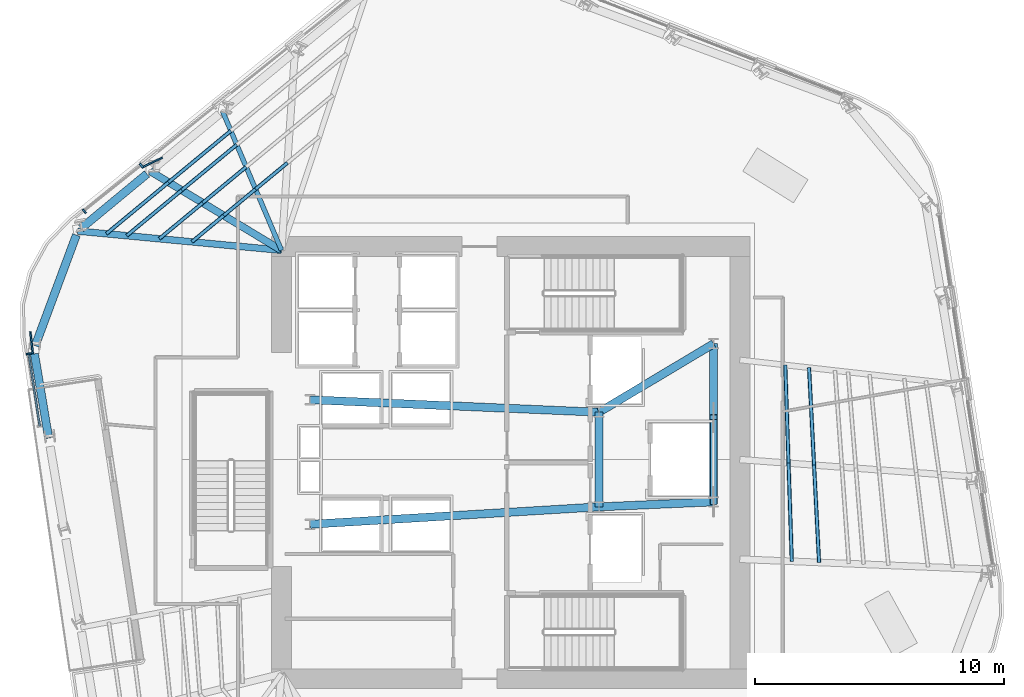
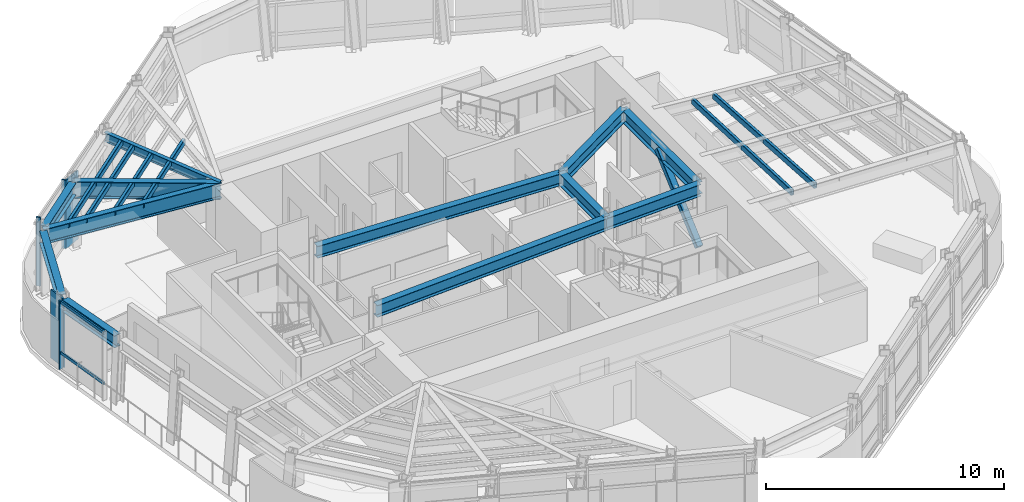
# One storey, part 4 of 15: 21 members, 12 beams, 2 elements without a shape of their own.
"""IFC4 building model written with IfcOpenShell, lengths in metres."""

from ifc_helpers import new_model, si_unit, direction, frame, origin, origin_2d, place, context, subcontext, project, spatial, rectangle, hollow_rectangle, i_section, extrude, material, layer, layer_set, material_profile, profile_set, type_object, element, aggregate, save


model = new_model("IFC4")

# Units and contexts
model_context = context("Model", 3, precision=1e-05, world=origin(), true_north=direction((0.0, 1.0)))
body_context = subcontext(model_context, "Body", "Model", "MODEL_VIEW")
ifc_project = project(units=[si_unit("LENGTHUNIT", "METRE"), si_unit("AREAUNIT", "SQUARE_METRE"), si_unit("VOLUMEUNIT", "CUBIC_METRE"), si_unit("PLANEANGLEUNIT", "RADIAN"), si_unit("MASSUNIT", "GRAM", prefix="KILO")], contexts=[model_context])

# Site, building, storey
site_placement = place(None, origin())
site = spatial("IfcSite", under=ifc_project, at=site_placement, CompositionType="ELEMENT")
building_placement = place(site_placement, origin())
building = spatial("IfcBuilding", under=site, at=building_placement, Name="Valkerne Bourse Tower", CompositionType="ELEMENT")
storey_placement = place(building_placement, frame((0.0, 0.0, 189.39990234375)))
storey = spatial("IfcBuildingStorey", under=building, at=storey_placement, Name="L48", CompositionType="ELEMENT", Elevation=189.39990234375)

# Beams
ifc_material_1 = material(Name="Steel ASTM A992", Category="steel")
ifc_material_profile_1 = material_profile(ifc_material_1, i_section(OverallWidth=0.1904296875, OverallDepth=0.457275390625, WebThickness=0.009033203125, FlangeThickness=0.014404296875, FilletRadius=0.01513671875, at=origin_2d()), Name="W18X50")
ifc_profile_set_1 = profile_set([ifc_material_profile_1], Name="Steel ASTM A992")
beam_type_1 = type_object("IfcBeamType", Name="BM-W18X50", PredefinedType="JOIST", material=ifc_profile_set_1)
beam_1_placement = place(storey_placement, frame((35.235107421875, 40.9794921875, 3.29150390625), z_axis=(0.390254967535, -0.920706826473, 0.0), x_axis=(0.920706826473, 0.390254967535, 0.0)))
element("IfcBeam", 1, at=beam_1_placement, inside=storey, type_object=beam_type_1, Name="L48 Radial Composite Floor Beam 07", PredefinedType="JOIST", context=body_context, shape_type="SweptSolid", body=[
    extrude(i_section(OverallWidth=0.1904296875, OverallDepth=0.457275390625, WebThickness=0.009033203125, FlangeThickness=0.014404296875, FilletRadius=0.01513671875, at=origin_2d()), origin(), (0.0, 0.0, 1.0), 6.06005859375),
])
ifc_material_profile_2 = material_profile(ifc_material_1, i_section(OverallWidth=0.3251953125, OverallDepth=0.612060546875, WebThickness=0.0126953125, FlangeThickness=0.01904296875, FilletRadius=0.020263671875, at=origin_2d()), Name="W24X104")
ifc_profile_set_2 = profile_set([ifc_material_profile_2], Name="Steel ASTM A992")
beam_type_2 = type_object("IfcBeamType", Name="BM-W24X104", PredefinedType="BEAM", material=ifc_profile_set_2)
beam_2_placement = place(storey_placement, frame((50.35009765625, 25.10009765625, 3.214111328125), z_axis=(0.0, 1.0, 0.0), x_axis=(-1.0, 0.0, 0.0)))
element("IfcBeam", 2, at=beam_2_placement, inside=storey, type_object=beam_type_2, Name="L48 Core Frame Girder CG-CE", PredefinedType="BEAM", context=body_context, shape_type="SweptSolid", body=[
    extrude(i_section(OverallWidth=0.3251953125, OverallDepth=0.612060546875, WebThickness=0.0126953125, FlangeThickness=0.01904296875, FilletRadius=0.020263671875, at=origin_2d()), origin(), (0.0, 0.0, 1.0), 3.7998046875),
])
beam_3_placement = place(storey_placement, frame((50.35009765625, 25.10009765625, 3.214111328125), z_axis=(0.999056558506, 0.043428019819, 0.0), x_axis=(-0.043428019819, 0.999056558506, 0.0)))
element("IfcBeam", 3, at=beam_3_placement, inside=storey, type_object=beam_type_2, Name="L48 Core Frame Girder CG-SE", PredefinedType="BEAM", context=body_context, shape_type="SweptSolid", body=[
    extrude(i_section(OverallWidth=0.3251953125, OverallDepth=0.612060546875, WebThickness=0.0126953125, FlangeThickness=0.01904296875, FilletRadius=0.020263671875, at=origin_2d()), origin(), (0.0, 0.0, 1.0), 4.604248046875),
])
beam_4_placement = place(storey_placement, frame((50.35009765625, 28.89990234375, 3.214111328125), z_axis=(0.858307823492, 0.513135148019, 0.0), x_axis=(-0.513135148019, 0.858307823492, 0.0)))
element("IfcBeam", 4, at=beam_4_placement, inside=storey, type_object=beam_type_2, Name="L48 Core Frame Girder CG-NE", PredefinedType="BEAM", context=body_context, shape_type="SweptSolid", body=[
    extrude(i_section(OverallWidth=0.3251953125, OverallDepth=0.612060546875, WebThickness=0.0126953125, FlangeThickness=0.01904296875, FilletRadius=0.020263671875, at=origin_2d()), origin(), (0.0, 0.0, 1.0), 5.359130859375),
])
beam_5_placement = place(storey_placement, frame((54.949951171875, 25.300048828125, 3.214111328125), z_axis=(0.0, 1.0, 0.0), x_axis=(-1.0, 0.0, 0.0)))
element("IfcBeam", 5, at=beam_5_placement, inside=storey, type_object=beam_type_2, Name="L48 Core Frame Girder CG-EE", PredefinedType="BEAM", context=body_context, shape_type="SweptSolid", body=[
    extrude(i_section(OverallWidth=0.3251953125, OverallDepth=0.612060546875, WebThickness=0.0126953125, FlangeThickness=0.01904296875, FilletRadius=0.020263671875, at=origin_2d()), origin(), (0.0, 0.0, 1.0), 6.349853515625),
])
beam_6_placement = place(storey_placement, frame((38.75, 24.39990234375, 3.214111328125), z_axis=(0.998183228389, 0.060251494276, 0.0), x_axis=(-0.060251494276, 0.998183228389, 0.0)))
element("IfcBeam", 6, at=beam_6_placement, inside=storey, type_object=beam_type_2, Name="L48 Core Frame Girder CG-SW", PredefinedType="BEAM", context=body_context, shape_type="SweptSolid", body=[
    extrude(i_section(OverallWidth=0.3251953125, OverallDepth=0.612060546875, WebThickness=0.0126953125, FlangeThickness=0.01904296875, FilletRadius=0.020263671875, at=origin_2d()), origin(), (0.0, 0.0, 1.0), 11.62109375),
])
beam_7_placement = place(storey_placement, frame((38.75, 29.39990234375, 3.214111328125), z_axis=(0.999072354402, -0.043063101019, 0.0), x_axis=(0.043063101019, 0.999072354402, 0.0)))
element("IfcBeam", 7, at=beam_7_placement, inside=storey, type_object=beam_type_2, Name="L48 Core Frame Girder CG-NW", PredefinedType="BEAM", context=body_context, shape_type="SweptSolid", body=[
    extrude(i_section(OverallWidth=0.3251953125, OverallDepth=0.612060546875, WebThickness=0.0126953125, FlangeThickness=0.01904296875, FilletRadius=0.020263671875, at=origin_2d()), origin(), (0.0, 0.0, 1.0), 11.61083984375),
])
ifc_material_profile_3 = material_profile(ifc_material_1, i_section(OverallWidth=0.32763671875, OverallDepth=0.62744140625, WebThickness=0.0166015625, FlangeThickness=0.027587890625, FilletRadius=0.020263671875, at=origin_2d()), Name="W24X146")
ifc_profile_set_3 = profile_set([ifc_material_profile_3], Name="Steel ASTM A992")
beam_type_3 = type_object("IfcBeamType", Name="BM-W24X146", PredefinedType="SPANDREL", material=ifc_profile_set_3)
beam_8_placement = place(storey_placement, frame((32.198486328125, 38.467529296875, 3.206298828125), z_axis=(-0.770502780031, -0.637436636823, 0.0), x_axis=(0.637436636823, -0.770502780031, 0.0)))
element("IfcBeam", 8, at=beam_8_placement, inside=storey, type_object=beam_type_3, Name="L48 Hexagonal Spandrel Ring Beam 08", PredefinedType="SPANDREL", context=body_context, shape_type="SweptSolid", body=[
    extrude(i_section(OverallWidth=0.32763671875, OverallDepth=0.62744140625, WebThickness=0.0166015625, FlangeThickness=0.027587890625, FilletRadius=0.020263671875, at=origin_2d()), origin(), (0.0, 0.0, 1.0), 3.430908203125),
])
beam_9_placement = place(storey_placement, frame((29.364501953125, 36.0126953125, 3.206298828125), z_axis=(-0.348553782841, -0.937288781789, 0.0), x_axis=(0.937288781789, -0.348553782841, 0.0)))
element("IfcBeam", 9, at=beam_9_placement, inside=storey, type_object=beam_type_3, Name="L48 Hexagonal Spandrel Ring Beam 09", PredefinedType="SPANDREL", context=body_context, shape_type="SweptSolid", body=[
    extrude(i_section(OverallWidth=0.32763671875, OverallDepth=0.62744140625, WebThickness=0.0166015625, FlangeThickness=0.027587890625, FilletRadius=0.020263671875, at=origin_2d()), origin(), (0.0, 0.0, 1.0), 4.739990234375),
])
beam_10_placement = place(storey_placement, frame((27.681396484375, 31.2431640625, 3.206298828125), z_axis=(0.16678700104, -0.985992949409, 0.0), x_axis=(0.985992949409, 0.16678700104, 0.0)))
element("IfcBeam", 10, at=beam_10_placement, inside=storey, type_object=beam_type_3, Name="L48 Hexagonal Spandrel Ring Beam 10", PredefinedType="SPANDREL", context=body_context, shape_type="SweptSolid", body=[
    extrude(i_section(OverallWidth=0.32763671875, OverallDepth=0.62744140625, WebThickness=0.0166015625, FlangeThickness=0.027587890625, FilletRadius=0.020263671875, at=origin_2d()), origin(), (0.0, 0.0, 1.0), 3.43115234375),
])
ifc_material_profile_4 = material_profile(ifc_material_1, i_section(OverallWidth=0.26806640625, OverallDepth=0.76953125, WebThickness=0.015625, FlangeThickness=0.025390625, FilletRadius=0.025390625, at=origin_2d()), Name="W30X132")
ifc_profile_set_4 = profile_set([ifc_material_profile_4], Name="Steel ASTM A992")
beam_type_4 = type_object("IfcBeamType", Name="BM-W30X132", PredefinedType="BEAM", material=ifc_profile_set_4)
beam_11_placement = place(storey_placement, frame((29.423828125, 36.172119140625, 3.13525390625), z_axis=(0.99556958455, -0.094027667839, 0.0), x_axis=(0.094027667839, 0.99556958455, 0.0)))
element("IfcBeam", 11, at=beam_11_placement, inside=storey, type_object=beam_type_4, Name="L48 Radial Composite Floor Beam 09", PredefinedType="BEAM", context=body_context, shape_type="SweptSolid", body=[
    extrude(i_section(OverallWidth=0.26806640625, OverallDepth=0.76953125, WebThickness=0.015625, FlangeThickness=0.025390625, FilletRadius=0.025390625, at=origin_2d()), origin(), (0.0, 0.0, 1.0), 8.212646484375),
])
ifc_material_profile_5 = material_profile(ifc_material_1, i_section(OverallWidth=0.2919921875, OverallDepth=0.8583984375, WebThickness=0.01708984375, FlangeThickness=0.031005859375, FilletRadius=0.025390625, at=origin_2d()), Name="W33X169")
ifc_profile_set_5 = profile_set([ifc_material_profile_5], Name="Steel ASTM A992")
beam_type_5 = type_object("IfcBeamType", Name="BM-W33X169", PredefinedType="BEAM", material=ifc_profile_set_5)
beam_12_placement = place(storey_placement, frame((32.32958984375, 38.575927734375, 3.0908203125), z_axis=(0.856507647418, -0.516134333206, 0.0), x_axis=(0.516134333206, 0.856507647418, 0.0)))
element("IfcBeam", 12, at=beam_12_placement, inside=storey, type_object=beam_type_5, Name="L48 Radial Composite Floor Beam 08", PredefinedType="BEAM", context=body_context, shape_type="SweptSolid", body=[
    extrude(i_section(OverallWidth=0.2919921875, OverallDepth=0.8583984375, WebThickness=0.01708984375, FlangeThickness=0.031005859375, FilletRadius=0.025390625, at=origin_2d()), origin(), (0.0, 0.0, 1.0), 6.153564453125),
])

# Curtain wall, members
ifc_material_2 = material(Name="Aluminium AA 6063-T6", Category="aluminium")
ifc_layer = layer(ifc_material_2, 0.235107421875)
ifc_layer_set = layer_set([ifc_layer], Name="Aluminium AA 6063-T6")
curtain_wall_type = type_object("IfcCurtainWallType", Name="CW-03", PredefinedType="NOTDEFINED", material=ifc_layer_set)
curtain_wall_1_placement = place(storey_placement, origin())
curtain_wall_1 = element("IfcCurtainWall", 13, at=curtain_wall_1_placement, inside=storey, type_object=curtain_wall_type, Name="L48 Hexagonal Stick Curtain Wall Face 2", PredefinedType="NOTDEFINED")
ifc_material_profile_6 = material_profile(ifc_material_2, rectangle(XDim=0.074951171875, YDim=0.199951171875, at=origin_2d()), Name="CWM-75X200")
ifc_profile_set_6 = profile_set([ifc_material_profile_6], Name="Aluminium AA 6063-T6")
member_type_1 = type_object("IfcMemberType", Name="CW-MUL-220X75", PredefinedType="MULLION", material=ifc_profile_set_6)
member_1_placement = place(storey_placement, frame((31.97265625, 38.804443359375, 0.0), z_axis=(0.0, 0.0, 1.0), x_axis=(-0.780428802886, -0.625244659014, 0.0)))
member_1 = element("IfcMember", 14, at=member_1_placement, type_object=member_type_1, Name="CW-L48-F2 Jamb Mullion 03A", PredefinedType="MULLION", context=body_context, shape_type="SweptSolid", body=[
    extrude(rectangle(XDim=0.074951171875, YDim=0.199951171875, at=origin_2d()), origin(), (0.0, 0.0, 1.0), 3.52001953125),
])
member_2_placement = place(storey_placement, frame((29.685302734375, 36.9716796875, 0.0), z_axis=(0.0, 0.0, 1.0), x_axis=(-0.780428802886, -0.625244659014, 0.0)))
member_2 = element("IfcMember", 15, at=member_2_placement, type_object=member_type_1, Name="CW-L48-F2 Jamb Mullion 03B", PredefinedType="MULLION", context=body_context, shape_type="SweptSolid", body=[
    extrude(rectangle(XDim=0.074951171875, YDim=0.199951171875, at=origin_2d()), origin(), (0.0, 0.0, 1.0), 3.52001953125),
])
aggregate(curtain_wall_1, [member_1, member_2])

curtain_wall_2_placement = place(storey_placement, origin())
curtain_wall_2 = element("IfcCurtainWall", 16, at=curtain_wall_2_placement, inside=storey, type_object=curtain_wall_type, Name="L48 Hexagonal Stick Curtain Wall Face 3", PredefinedType="NOTDEFINED")
member_3_placement = place(storey_placement, frame((27.4521484375, 31.244384765625, 0.0), z_axis=(0.0, 0.0, 1.0), x_axis=(0.151260054686, -0.988494003956, 0.0)))
member_3 = element("IfcMember", 17, at=member_3_placement, type_object=member_type_1, Name="CW-L48-F3 Jamb Mullion 00A", PredefinedType="MULLION", context=body_context, shape_type="SweptSolid", body=[
    extrude(rectangle(XDim=0.074951171875, YDim=0.199951171875, at=origin_2d()), origin(), (0.0, 0.0, 1.0), 3.52001953125),
])
ifc_material_profile_7 = material_profile(ifc_material_2, rectangle(XDim=0.074951171875, YDim=0.14990234375, at=origin_2d()), Name="CWT-75X150")
ifc_profile_set_7 = profile_set([ifc_material_profile_7], Name="Aluminium AA 6063-T6")
member_type_2 = type_object("IfcMemberType", Name="CW-TRN-180X65", PredefinedType="USERDEFINED", material=ifc_profile_set_7)
member_4_placement = place(storey_placement, frame((27.4521484375, 31.244384765625, 0.85009765625), z_axis=(0.151256002462, -0.988494624021, 0.0), x_axis=(0.988494624021, 0.151256002462, 0.0)))
member_4 = element("IfcMember", 18, at=member_4_placement, type_object=member_type_2, Name="CW-L48-F3 Bay Transom 00-1", ObjectType="TRANSOM", PredefinedType="USERDEFINED", context=body_context, shape_type="SweptSolid", body=[
    extrude(rectangle(XDim=0.074951171875, YDim=0.14990234375, at=origin_2d()), origin(), (0.0, 0.0, 1.0), 2.93115234375),
])
member_5_placement = place(storey_placement, frame((27.4521484375, 31.244384765625, 3.440185546875), z_axis=(0.151256002462, -0.988494624021, 0.0), x_axis=(0.988494624021, 0.151256002462, 0.0)))
member_5 = element("IfcMember", 19, at=member_5_placement, type_object=member_type_2, Name="CW-L48-F3 Bay Transom 00-2", ObjectType="TRANSOM", PredefinedType="USERDEFINED", context=body_context, shape_type="SweptSolid", body=[
    extrude(rectangle(XDim=0.074951171875, YDim=0.14990234375, at=origin_2d()), origin(), (0.0, 0.0, 1.0), 2.93115234375),
])
aggregate(curtain_wall_2, [member_3, member_4, member_5])

# Members
ifc_material_3 = material(Name="Bronze Anodised Aluminium AA 6063-T6", Category="aluminium")
ifc_material_profile_8 = material_profile(ifc_material_3, rectangle(XDim=0.070068359375, YDim=0.89990234375, at=origin_2d()), Name="FIN-70X900")
ifc_profile_set_8 = profile_set([ifc_material_profile_8], Name="Bronze Anodised Aluminium AA 6063-T6")
member_type_3 = type_object("IfcMemberType", Name="FIN-SOLAR-900", PredefinedType="USERDEFINED", material=ifc_profile_set_8)
for number, where, z_axis, x_axis, name in (
    (20, (32.4130859375, 38.926513671875, 0.004150390625), (0.0, 0.0, 1.0), (-0.432147815032, 0.901802786624, 0.0), "L48 Bronze Anodised Solar Fin F2-03"),
    (21, (27.56640625, 31.686767578125, 0.004150390625), (0.0, 0.0, 1.0), (-0.993694766839, -0.112119179253, 0.0), "L48 Bronze Anodised Solar Fin F3-00"),
):
    element("IfcMember", number, at=place(storey_placement, frame(where, z_axis=z_axis, x_axis=x_axis)), inside=storey, type_object=member_type_3, Name=name, ObjectType="SOLAR_FIN", PredefinedType="USERDEFINED", context=body_context, shape_type="SweptSolid", body=[
        extrude(rectangle(XDim=0.070068359375, YDim=0.89990234375, at=origin_2d()), origin(), (0.0, 0.0, 1.0), 3.511962890625),
    ])
ifc_material_4 = material(Name="Steel ASTM A500 Grade C", Category="steel")
ifc_material_profile_9 = material_profile(ifc_material_4, hollow_rectangle(XDim=0.14990234375, YDim=0.300048828125, WallThickness=0.012451171875, OuterFilletRadius=0.02490234375, at=origin_2d()), Name="HSS300X150X12.5")
ifc_profile_set_9 = profile_set([ifc_material_profile_9], Name="Steel ASTM A500 Grade C")
member_type_4 = type_object("IfcMemberType", Name="MBR-HSS300X150X12.5", PredefinedType="PURLIN", material=ifc_profile_set_9)
member_6_placement = place(storey_placement, frame((59.18310546875, 22.86865234375, 3.360107421875), z_axis=(-0.051449193264, 0.998675613256, 0.0), x_axis=(-0.998675613256, -0.051449193264, 0.0)))
element("IfcMember", 22, at=member_6_placement, inside=storey, type_object=member_type_4, Name="L48 Secondary Composite Floor Purlin I-25", PredefinedType="PURLIN", context=body_context, shape_type="SweptSolid", body=[
    extrude(hollow_rectangle(XDim=0.14990234375, YDim=0.300048828125, WallThickness=0.012451171875, OuterFilletRadius=0.02490234375, at=origin_2d()), origin(), (0.0, 0.0, 1.0), 3.914794921875),
])
member_7_placement = place(storey_placement, frame((58.981689453125, 26.7783203125, 3.360107421875), z_axis=(-0.051383795175, 0.99867898025, 0.0), x_axis=(-0.99867898025, -0.051383795175, 0.0)))
element("IfcMember", 23, at=member_7_placement, inside=storey, type_object=member_type_4, Name="L48 Secondary Composite Floor Purlin I-26", PredefinedType="PURLIN", context=body_context, shape_type="SweptSolid", body=[
    extrude(hollow_rectangle(XDim=0.14990234375, YDim=0.300048828125, WallThickness=0.012451171875, OuterFilletRadius=0.02490234375, at=origin_2d()), origin(), (0.0, 0.0, 1.0), 3.9150390625),
])
for number, where, z_axis, x_axis, name in (
    (24, (37.837890625, 38.91259765625, 3.360107421875), (-0.770543822735, -0.637387023122, 0.0), (0.637387023122, -0.770543822735, 0.0), "L48 Secondary Composite Floor Purlin K-06"),
    (25, (36.559326171875, 37.85498046875, 3.360107421875), (-0.770484037346, -0.637459291402, 0.0), (0.637459291402, -0.770484037346, 0.0), "L48 Secondary Composite Floor Purlin K-07"),
    (26, (35.281005859375, 36.79736328125, 3.360107421875), (-0.770543822735, -0.637387023122, 0.0), (0.637387023122, -0.770543822735, 0.0), "L48 Secondary Composite Floor Purlin K-08"),
):
    element("IfcMember", number, at=place(storey_placement, frame(where, z_axis=z_axis, x_axis=x_axis)), inside=storey, type_object=member_type_4, Name=name, PredefinedType="PURLIN", context=body_context, shape_type="SweptSolid", body=[
        extrude(hollow_rectangle(XDim=0.14990234375, YDim=0.300048828125, WallThickness=0.012451171875, OuterFilletRadius=0.02490234375, at=origin_2d()), origin(), (0.0, 0.0, 1.0), 1.6591796875),
    ])
member_8_placement = place(storey_placement, frame((35.802734375, 39.640380859375, 3.360107421875), z_axis=(-0.770541473894, -0.63738986265, 0.0), x_axis=(0.63738986265, -0.770541473894, 0.0)))
element("IfcMember", 27, at=member_8_placement, inside=storey, type_object=member_type_4, Name="L48 Secondary Composite Floor Purlin O-07", PredefinedType="PURLIN", context=body_context, shape_type="SweptSolid", body=[
    extrude(hollow_rectangle(XDim=0.14990234375, YDim=0.300048828125, WallThickness=0.012451171875, OuterFilletRadius=0.02490234375, at=origin_2d()), origin(), (0.0, 0.0, 1.0), 2.86572265625),
])
member_9_placement = place(storey_placement, frame((33.594482421875, 37.813720703125, 3.360107421875), z_axis=(-0.7704996348, -0.637440438608, 0.0), x_axis=(0.637440438608, -0.7704996348, 0.0)))
element("IfcMember", 28, at=member_9_placement, inside=storey, type_object=member_type_4, Name="L48 Secondary Composite Floor Purlin O-08", PredefinedType="PURLIN", context=body_context, shape_type="SweptSolid", body=[
    extrude(hollow_rectangle(XDim=0.14990234375, YDim=0.300048828125, WallThickness=0.012451171875, OuterFilletRadius=0.02490234375, at=origin_2d()), origin(), (0.0, 0.0, 1.0), 2.865966796875),
])
member_10_placement = place(storey_placement, frame((36.18115234375, 38.747802734375, 3.360107421875), z_axis=(-0.770489340731, -0.637452881255, 0.0), x_axis=(0.637452881255, -0.770489340731, 0.0)))
element("IfcMember", 29, at=member_10_placement, inside=storey, type_object=member_type_4, Name="L48 Secondary Composite Floor Purlin Z-07", PredefinedType="PURLIN", context=body_context, shape_type="SweptSolid", body=[
    extrude(hollow_rectangle(XDim=0.14990234375, YDim=0.300048828125, WallThickness=0.012451171875, OuterFilletRadius=0.02490234375, at=origin_2d()), origin(), (0.0, 0.0, 1.0), 2.2626953125),
])
member_11_placement = place(storey_placement, frame((34.437744140625, 37.305419921875, 3.360107421875), z_axis=(-0.770542335179, -0.63738882144, 0.0), x_axis=(0.63738882144, -0.770542335179, 0.0)))
element("IfcMember", 30, at=member_11_placement, inside=storey, type_object=member_type_4, Name="L48 Secondary Composite Floor Purlin Z-08", PredefinedType="PURLIN", context=body_context, shape_type="SweptSolid", body=[
    extrude(hollow_rectangle(XDim=0.14990234375, YDim=0.300048828125, WallThickness=0.012451171875, OuterFilletRadius=0.02490234375, at=origin_2d()), origin(), (0.0, 0.0, 1.0), 2.262451171875),
])
member_12_placement = place(storey_placement, frame((58.0888671875, 22.913818359375, 3.360107421875), z_axis=(-0.033498319598, 0.999438773805, 0.0), x_axis=(-0.999438773805, -0.033498319598, 0.0)))
element("IfcMember", 31, at=member_12_placement, inside=storey, type_object=member_type_4, Name="L48 Secondary Composite Floor Purlin S-25", PredefinedType="PURLIN", context=body_context, shape_type="SweptSolid", body=[
    extrude(hollow_rectangle(XDim=0.14990234375, YDim=0.300048828125, WallThickness=0.012451171875, OuterFilletRadius=0.02490234375, at=origin_2d()), origin(), (0.0, 0.0, 1.0), 3.94287109375),
])
member_13_placement = place(storey_placement, frame((57.956787109375, 26.8544921875, 3.360107421875), z_axis=(-0.033496246699, 0.99943884328, 0.0), x_axis=(-0.99943884328, -0.033496246699, 0.0)))
element("IfcMember", 32, at=member_13_placement, inside=storey, type_object=member_type_4, Name="L48 Secondary Composite Floor Purlin S-26", PredefinedType="PURLIN", context=body_context, shape_type="SweptSolid", body=[
    extrude(hollow_rectangle(XDim=0.14990234375, YDim=0.300048828125, WallThickness=0.012451171875, OuterFilletRadius=0.02490234375, at=origin_2d()), origin(), (0.0, 0.0, 1.0), 3.943115234375),
])
member_14_placement = place(storey_placement, frame((35.566162109375, 40.198486328125, 3.360107421875), z_axis=(-0.770517989074, -0.637418252417, 0.0), x_axis=(0.637418252417, -0.770517989074, 0.0)))
element("IfcMember", 33, at=member_14_placement, inside=storey, type_object=member_type_4, Name="L48 Secondary Composite Floor Purlin T-07", PredefinedType="PURLIN", context=body_context, shape_type="SweptSolid", body=[
    extrude(hollow_rectangle(XDim=0.14990234375, YDim=0.300048828125, WallThickness=0.012451171875, OuterFilletRadius=0.02490234375, at=origin_2d()), origin(), (0.0, 0.0, 1.0), 3.242919921875),
])
member_15_placement = place(storey_placement, frame((33.0673828125, 38.13134765625, 3.360107421875), z_axis=(-0.77048101506, -0.63746294436, 0.0), x_axis=(0.63746294436, -0.77048101506, 0.0)))
element("IfcMember", 34, at=member_15_placement, inside=storey, type_object=member_type_4, Name="L48 Secondary Composite Floor Purlin T-08", PredefinedType="PURLIN", context=body_context, shape_type="SweptSolid", body=[
    extrude(hollow_rectangle(XDim=0.14990234375, YDim=0.300048828125, WallThickness=0.012451171875, OuterFilletRadius=0.02490234375, at=origin_2d()), origin(), (0.0, 0.0, 1.0), 3.2431640625),
])
ifc_material_profile_10 = material_profile(ifc_material_4, hollow_rectangle(XDim=0.300048828125, YDim=0.300048828125, WallThickness=0.012451171875, OuterFilletRadius=0.02490234375, at=origin_2d()), Name="HSS300X300X12.5")
ifc_profile_set_10 = profile_set([ifc_material_profile_10], Name="Steel ASTM A500 Grade C")
member_type_5 = type_object("IfcMemberType", Name="MBR-HSS300X300X12.5", PredefinedType="STRUT", material=ifc_profile_set_10)
member_16_placement = place(storey_placement, frame((54.949951171875, 25.300048828125, 0.22021484375), z_axis=(0.0, 0.750496451584, 0.660874478369), x_axis=(-1.0, 0.0, 0.0)))
element("IfcMember", 35, at=member_16_placement, inside=storey, type_object=member_type_5, Name="L48 Core Service Pier Lateral Brace", PredefinedType="STRUT", context=body_context, shape_type="SweptSolid", body=[
    extrude(hollow_rectangle(XDim=0.300048828125, YDim=0.300048828125, WallThickness=0.012451171875, OuterFilletRadius=0.02490234375, at=origin_2d()), origin(), (0.0, 0.0, 1.0), 4.5302734375),
])

save(model, "model.ifc")
